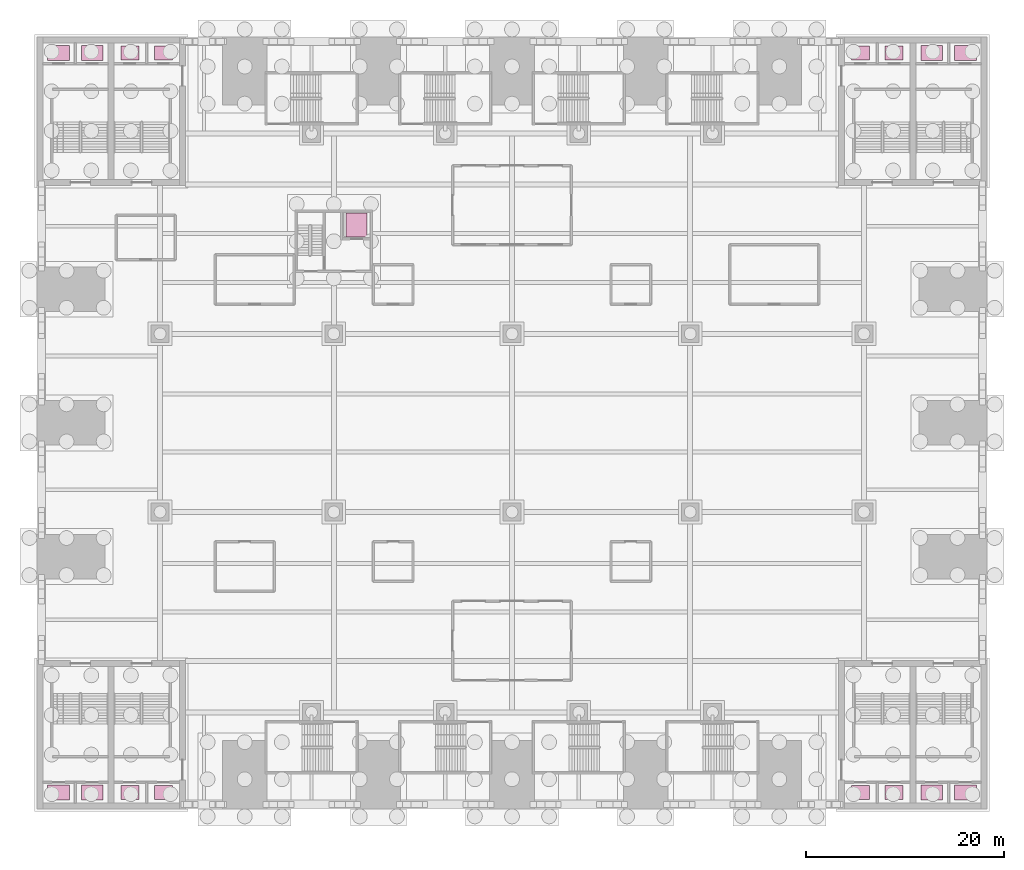
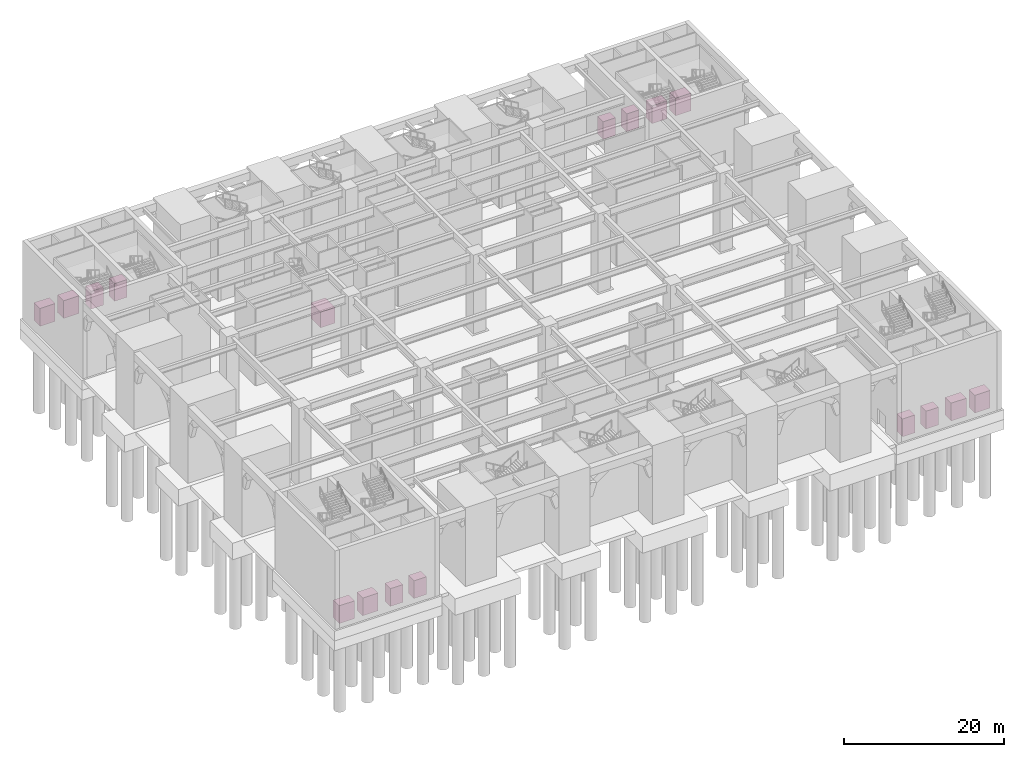
# One storey, part 34 of 34: 17 transport elements.
"""IFC4 building model written with IfcOpenShell, lengths in metres."""

from ifc_helpers import new_model, si_unit, direction, frame, origin, origin_2d, place, context, subcontext, project, spatial, rectangle, extrude, material, type_object, element, save


model = new_model("IFC4")

# Units and contexts
model_context = context("Model", 3, precision=1e-05, world=origin(), true_north=direction((0.0, 1.0)))
body_context = subcontext(model_context, "Body", "Model", "MODEL_VIEW")
ifc_project = project(units=[si_unit("LENGTHUNIT", "METRE"), si_unit("AREAUNIT", "SQUARE_METRE"), si_unit("VOLUMEUNIT", "CUBIC_METRE"), si_unit("PLANEANGLEUNIT", "RADIAN"), si_unit("MASSUNIT", "GRAM", prefix="KILO")], contexts=[model_context])

# Site, building, storey
site_placement = place(None, origin())
site = spatial("IfcSite", under=ifc_project, at=site_placement, CompositionType="ELEMENT")
building_placement = place(site_placement, origin())
building = spatial("IfcBuilding", under=site, at=building_placement, Name="Corbelhall Arena Tower", CompositionType="ELEMENT")
storey_placement = place(building_placement, origin())
storey = spatial("IfcBuildingStorey", under=building, at=storey_placement, Name="L00", CompositionType="ELEMENT", Elevation=0.0)

# Transport elements
ifc_material = material(Name="Stainless steel A4", Category="steel")
transport_element_type_1 = type_object("IfcTransportElementType", Name="AR-LIFT-FIRE-SERVICE", PredefinedType="ELEVATOR", material=ifc_material)
for number, where, z_axis, x_axis, name in (
    (1, (42.39990234375, 37.35009765625, 0.0), (0.0, 0.0, 1.0), (1.0, 0.0, 0.0), "Arena lift NE-LF3"),
    (2, (45.800048828125, 37.35009765625, 0.0), (0.0, 0.0, 1.0), (1.0, 0.0, 0.0), "Arena lift NE-LF4"),
    (3, (-45.800048828125, 37.35009765625, 0.0), (0.0, 0.0, 1.0), (1.0, 0.0, 0.0), "Arena lift NW-LF3"),
    (4, (-42.39990234375, 37.35009765625, 0.0), (0.0, 0.0, 1.0), (1.0, 0.0, 0.0), "Arena lift NW-LF4"),
    (5, (42.39990234375, -37.35009765625, 0.0), (0.0, 0.0, 1.0), (1.0, 0.0, 0.0), "Arena lift SE-LF3"),
    (6, (45.800048828125, -37.35009765625, 0.0), (0.0, 0.0, 1.0), (1.0, 0.0, 0.0), "Arena lift SE-LF4"),
    (7, (-45.800048828125, -37.35009765625, 0.0), (0.0, 0.0, 1.0), (1.0, 0.0, 0.0), "Arena lift SW-LF3"),
    (8, (-42.39990234375, -37.35009765625, 0.0), (0.0, 0.0, 1.0), (1.0, 0.0, 0.0), "Arena lift SW-LF4"),
):
    element("IfcTransportElement", number, at=place(storey_placement, frame(where, z_axis=z_axis, x_axis=x_axis)), inside=storey, type_object=transport_element_type_1, Name=name, PredefinedType="ELEVATOR", context=body_context, shape_type="SweptSolid", body=[
        extrude(rectangle(XDim=2.199951171875, YDim=1.5, at=origin_2d()), origin(), (0.0, 0.0, 1.0), 2.699951171875),
    ])
transport_element_type_2 = type_object("IfcTransportElementType", Name="AR-LIFT-PASSENGER", PredefinedType="ELEVATOR", material=ifc_material)
for number, where, z_axis, x_axis, name in (
    (9, (35.199951171875, 37.35009765625, 0.0), (0.0, 0.0, 1.0), (1.0, 0.0, 0.0), "Arena lift NE-LF1"),
    (10, (38.60009765625, 37.35009765625, 0.0), (0.0, 0.0, 1.0), (1.0, 0.0, 0.0), "Arena lift NE-LF2"),
    (11, (-38.60009765625, 37.35009765625, 0.0), (0.0, 0.0, 1.0), (1.0, 0.0, 0.0), "Arena lift NW-LF1"),
    (12, (-35.199951171875, 37.35009765625, 0.0), (0.0, 0.0, 1.0), (1.0, 0.0, 0.0), "Arena lift NW-LF2"),
    (13, (35.199951171875, -37.35009765625, 0.0), (0.0, 0.0, 1.0), (1.0, 0.0, 0.0), "Arena lift SE-LF1"),
    (14, (38.60009765625, -37.35009765625, 0.0), (0.0, 0.0, 1.0), (1.0, 0.0, 0.0), "Arena lift SE-LF2"),
    (15, (-38.60009765625, -37.35009765625, 0.0), (0.0, 0.0, 1.0), (1.0, 0.0, 0.0), "Arena lift SW-LF1"),
    (16, (-35.199951171875, -37.35009765625, 0.0), (0.0, 0.0, 1.0), (1.0, 0.0, 0.0), "Arena lift SW-LF2"),
):
    element("IfcTransportElement", number, at=place(storey_placement, frame(where, z_axis=z_axis, x_axis=x_axis)), inside=storey, type_object=transport_element_type_2, Name=name, PredefinedType="ELEVATOR", context=body_context, shape_type="SweptSolid", body=[
        extrude(rectangle(XDim=1.800048828125, YDim=1.39990234375, at=origin_2d()), origin(), (0.0, 0.0, 1.0), 2.699951171875),
    ])
transport_element_type_3 = type_object("IfcTransportElementType", Name="IN-LF-FF", PredefinedType="ELEVATOR", material=ifc_material)
transport_element_placement = place(storey_placement, frame((-15.699951171875, 20.0, 0.0), z_axis=(0.0, 0.0, 1.0), x_axis=(1.0, 0.0, 0.0)))
element("IfcTransportElement", 17, at=transport_element_placement, inside=storey, type_object=transport_element_type_3, Name="Fire service access elevator FS1", PredefinedType="ELEVATOR", context=body_context, shape_type="SweptSolid", body=[
    extrude(rectangle(XDim=2.10009765625, YDim=2.39990234375, at=origin_2d()), origin(), (0.0, 0.0, 1.0), 2.39990234375),
])

save(model, "model.ifc")
